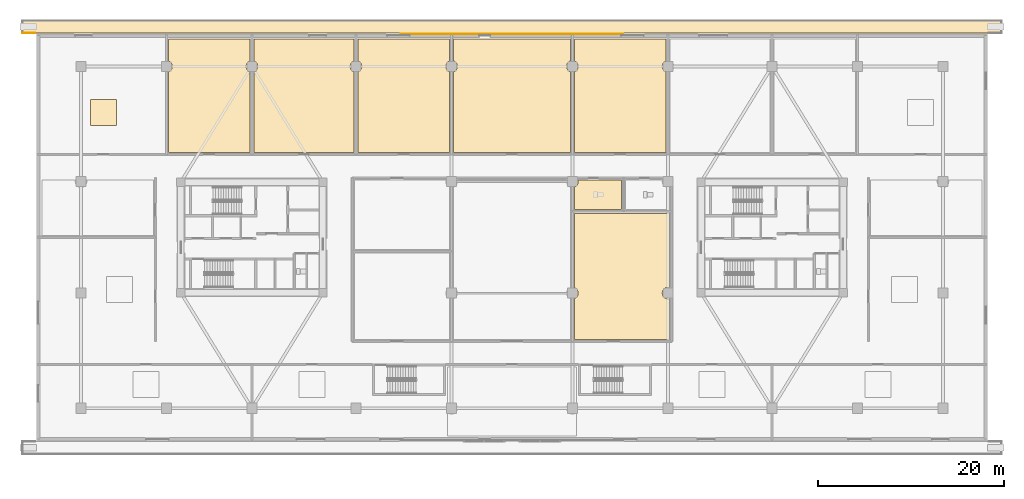
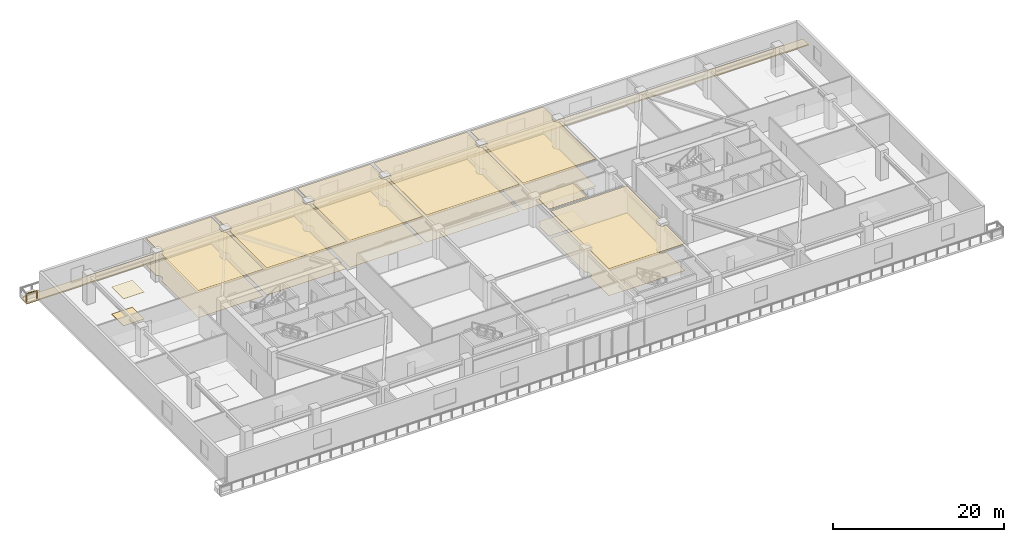
# One storey, part 18 of 23: 18 coverings, 1 railing.
"""IFC4 building model written with IfcOpenShell, lengths in metres."""

from ifc_helpers import new_model, si_unit, direction, frame, origin, origin_2d, place, context, subcontext, project, spatial, polyline, rectangle, outline, extrude, source, transform, mapped, material, layer, layer_set, type_object, type_shapes, element, save


model = new_model("IFC4")

# Units and contexts
model_context = context("Model", 3, precision=1e-05, world=origin(), true_north=direction((0.0, 1.0)))
body_context = subcontext(model_context, "Body", "Model", "MODEL_VIEW")
ifc_project = project(units=[si_unit("LENGTHUNIT", "METRE"), si_unit("AREAUNIT", "SQUARE_METRE"), si_unit("VOLUMEUNIT", "CUBIC_METRE"), si_unit("PLANEANGLEUNIT", "RADIAN"), si_unit("MASSUNIT", "GRAM", prefix="KILO")], contexts=[model_context])

# Site, building, storey
site_placement = place(None, origin())
site = spatial("IfcSite", under=ifc_project, at=site_placement, CompositionType="ELEMENT")
building_placement = place(site_placement, origin())
building = spatial("IfcBuilding", under=site, at=building_placement, Name="Norrkilde Senior Care Towers", CompositionType="ELEMENT")
storey_placement = place(building_placement, frame((0.0, 0.0, 8.39990234375)))
storey = spatial("IfcBuildingStorey", under=building, at=storey_placement, Name="L02", CompositionType="ELEMENT", Elevation=8.39990234375)

# Coverings
ifc_material_1 = material(Name="Nordic Ash Timber", Category="wood")
ifc_layer_1 = layer(ifc_material_1, 0.044921875)
ifc_layer_set_1 = layer_set([ifc_layer_1], Name="Nordic Ash Timber")
covering_type_1 = type_object("IfcCoveringType", Name="Acoustic Ash Timber Slatted Ceiling 45", PredefinedType="CEILING", material=ifc_layer_set_1)
covering_1_placement = place(storey_placement, frame((0.0, 0.0, 3.835205078125)))
element("IfcCovering", 1, at=covering_1_placement, inside=storey, type_object=covering_type_1, Name="L02 Suspended Ceiling 0055", PredefinedType="CEILING", context=body_context, shape_type="SweptSolid", body=[
    extrude(outline(polyline([(6.719970703125, -10.97998046875), (6.719970703125, -6.5849609375), (6.81494140625, -6.545654296875), (6.945556640625, -6.445556640625), (7.045654296875, -6.31494140625), (7.108642578125, -6.1630859375), (7.1298828125, -6.0), (7.108642578125, -5.8369140625), (7.045654296875, -5.68505859375), (6.945556640625, -5.554443359375), (6.81494140625, -5.454345703125), (6.719970703125, -5.4150390625), (6.719970703125, 2.580078125), (16.97998046875, 2.580078125), (16.97998046875, -5.3984375), (16.963134765625, -5.391357421875), (16.800048828125, -5.3701171875), (16.636962890625, -5.391357421875), (16.485107421875, -5.454345703125), (16.3544921875, -5.554443359375), (16.25439453125, -5.68505859375), (16.19140625, -5.8369140625), (16.169921875, -6.0), (16.19140625, -6.1630859375), (16.25439453125, -6.31494140625), (16.3544921875, -6.445556640625), (16.485107421875, -6.545654296875), (16.636962890625, -6.608642578125), (16.800048828125, -6.6298828125), (16.963134765625, -6.608642578125), (16.97998046875, -6.6015625), (16.97998046875, -10.97998046875), (6.719970703125, -10.97998046875)])), origin(), (0.0, 0.0, 1.0), 0.044921875),
])
covering_2_placement = place(storey_placement, frame((0.0, 0.0, 3.835205078125)))
element("IfcCovering", 2, at=covering_2_placement, inside=storey, type_object=covering_type_1, Name="L02 Suspended Ceiling 0056", PredefinedType="CEILING", context=body_context, shape_type="SweptSolid", body=[
    extrude(outline(polyline([(-45.39990234375, 12.044921875), (-45.39990234375, 14.844970703125), (-42.60009765625, 14.844970703125), (-42.60009765625, 12.044921875), (-45.39990234375, 12.044921875)])), origin(), (0.0, 0.0, 1.0), 0.044921875),
])
covering_3_placement = place(storey_placement, frame((0.0, 0.0, 3.835205078125)))
element("IfcCovering", 3, at=covering_3_placement, inside=storey, type_object=covering_type_1, Name="L02 Suspended Ceiling 0058", PredefinedType="CEILING", context=body_context, shape_type="SweptSolid", body=[
    extrude(outline(polyline([(-27.780029296875, 9.1201171875), (-27.780029296875, 17.81494140625), (-27.68505859375, 17.8544921875), (-27.554443359375, 17.95458984375), (-27.454345703125, 18.0849609375), (-27.391357421875, 18.237060546875), (-27.3701171875, 18.39990234375), (-27.391357421875, 18.56298828125), (-27.454345703125, 18.715087890625), (-27.554443359375, 18.845458984375), (-27.68505859375, 18.945556640625), (-27.780029296875, 18.98486328125), (-27.780029296875, 21.3798828125), (-17.02001953125, 21.3798828125), (-17.02001953125, 18.98486328125), (-17.114990234375, 18.945556640625), (-17.245361328125, 18.845458984375), (-17.345703125, 18.715087890625), (-17.408447265625, 18.56298828125), (-17.429931640625, 18.39990234375), (-17.408447265625, 18.237060546875), (-17.345703125, 18.0849609375), (-17.245361328125, 17.95458984375), (-17.114990234375, 17.8544921875), (-17.02001953125, 17.81494140625), (-17.02001953125, 9.1201171875), (-27.780029296875, 9.1201171875)])), origin(), (0.0, 0.0, 1.0), 0.044921875),
])
covering_4_placement = place(storey_placement, frame((0.0, 0.0, 3.835205078125)))
element("IfcCovering", 4, at=covering_4_placement, inside=storey, type_object=covering_type_1, Name="L02 Suspended Ceiling 0059", PredefinedType="CEILING", context=body_context, shape_type="SweptSolid", body=[
    extrude(outline(polyline([(-16.580078125, 9.1201171875), (-16.580078125, 17.81494140625), (-16.485107421875, 17.8544921875), (-16.3544921875, 17.95458984375), (-16.25439453125, 18.0849609375), (-16.19140625, 18.237060546875), (-16.169921875, 18.39990234375), (-16.19140625, 18.56298828125), (-16.25439453125, 18.715087890625), (-16.3544921875, 18.845458984375), (-16.485107421875, 18.945556640625), (-16.580078125, 18.98486328125), (-16.580078125, 21.3798828125), (-6.719970703125, 21.3798828125), (-6.719970703125, 18.98486328125), (-6.81494140625, 18.945556640625), (-6.945556640625, 18.845458984375), (-7.045654296875, 18.715087890625), (-7.108642578125, 18.56298828125), (-7.1298828125, 18.39990234375), (-7.108642578125, 18.237060546875), (-7.045654296875, 18.0849609375), (-6.945556640625, 17.95458984375), (-6.81494140625, 17.8544921875), (-6.719970703125, 17.81494140625), (-6.719970703125, 9.1201171875), (-16.580078125, 9.1201171875)])), origin(), (0.0, 0.0, 1.0), 0.044921875),
])
covering_5_placement = place(storey_placement, frame((0.0, 0.0, 3.835205078125)))
element("IfcCovering", 5, at=covering_5_placement, inside=storey, type_object=covering_type_1, Name="L02 Suspended Ceiling 0061", PredefinedType="CEILING", context=body_context, shape_type="SweptSolid", body=[
    extrude(outline(polyline([(6.719970703125, 9.1201171875), (6.719970703125, 17.81494140625), (6.81494140625, 17.8544921875), (6.945556640625, 17.95458984375), (7.045654296875, 18.0849609375), (7.108642578125, 18.237060546875), (7.1298828125, 18.39990234375), (7.108642578125, 18.56298828125), (7.045654296875, 18.715087890625), (6.945556640625, 18.845458984375), (6.81494140625, 18.945556640625), (6.719970703125, 18.98486328125), (6.719970703125, 21.3798828125), (16.580078125, 21.3798828125), (16.580078125, 18.98486328125), (16.485107421875, 18.945556640625), (16.3544921875, 18.845458984375), (16.25439453125, 18.715087890625), (16.19140625, 18.56298828125), (16.169921875, 18.39990234375), (16.19140625, 18.237060546875), (16.25439453125, 18.0849609375), (16.3544921875, 17.95458984375), (16.485107421875, 17.8544921875), (16.580078125, 17.81494140625), (16.580078125, 9.1201171875), (6.719970703125, 9.1201171875)])), origin(), (0.0, 0.0, 1.0), 0.044921875),
])

# Railing
ifc_material_2 = material(Name="Anodised Aluminium", Category="aluminium")
railing_type = type_object("IfcRailingType", Name="Balcony Swirl Ribbon Guardrail 1150", PredefinedType="GUARDRAIL", material=ifc_material_2)
railing_placement = place(storey_placement, frame((-51.358642578125, 21.985107421875, 0.0)))
element("IfcRailing", 6, at=railing_placement, inside=storey, type_object=railing_type, Name="L02 Perimeter Safety Guard 04", PredefinedType="GUARDRAIL", context=body_context, shape_type="SweptSolid", body=[
    extrude(rectangle(XDim=0.048095703125, YDim=0.048095703125, at=origin_2d()), frame((0.0, 0.0, 1.1259765625), z_axis=(-1.0, 0.0, 0.0), x_axis=(0.0, -1.0, 0.0)), (0.0, 0.0, 1.0), 1.361328125),
    extrude(rectangle(XDim=0.0419921875, YDim=0.0419921875, at=origin_2d()), origin(), (0.0, 0.0, 1.0), 1.099853515625),
    extrude(rectangle(XDim=0.0419921875, YDim=0.0419921875, at=origin_2d()), frame((-1.361328125, 0.0, 0.0)), (0.0, 0.0, 1.0), 1.099853515625),
])

# Coverings
ifc_material_3 = material(Name="EPDM Waterproofing and PIR Insulation")
ifc_layer_2 = layer(ifc_material_3, 0.159912109375)
ifc_layer_set_2 = layer_set([ifc_layer_2], Name="EPDM Waterproofing and PIR Insulation")
covering_type_2 = type_object("IfcCoveringType", Name="Insulated EPDM Roof Membrane 160", PredefinedType="ROOFING", material=ifc_layer_set_2)
covering_6_placement = place(storey_placement, frame((0.0, 0.0, -0.389892578125)))
element("IfcCovering", 7, at=covering_6_placement, inside=storey, type_object=covering_type_2, Name="L02 N Terrace Waterproof Membrane", PredefinedType="ROOFING", context=body_context, shape_type="SweptSolid", body=[
    extrude(outline(polyline([(-52.699951171875, 22.0048828125), (52.699951171875, 22.0048828125), (52.699951171875, 23.300048828125), (-52.699951171875, 23.300048828125), (-52.699951171875, 22.0048828125)])), origin(), (0.0, 0.0, 1.0), 0.159912109375),
])
ifc_material_4 = material(Name="Gypsum Acoustic Board")
ifc_layer_3 = layer(ifc_material_4, 0.030029296875)
ifc_layer_set_3 = layer_set([ifc_layer_3], Name="Gypsum Acoustic Board")
covering_type_3 = type_object("IfcCoveringType", Name="Medical Cleanable Gypsum Ceiling 30", PredefinedType="CEILING", material=ifc_layer_set_3)
covering_7_placement = place(storey_placement, frame((0.0, 0.0, 3.85009765625)))
element("IfcCovering", 8, at=covering_7_placement, inside=storey, type_object=covering_type_3, Name="L02 Suspended Ceiling 0053", PredefinedType="CEILING", context=body_context, shape_type="SweptSolid", body=[
    extrude(outline(polyline([(11.780029296875, 3.02001953125), (6.719970703125, 3.02001953125), (6.719970703125, 5.4150390625), (6.81494140625, 5.454345703125), (6.945556640625, 5.554443359375), (7.045654296875, 5.68505859375), (7.108642578125, 5.8369140625), (7.1298828125, 6.0), (7.108642578125, 6.1630859375), (7.1015625, 6.179931640625), (11.780029296875, 6.179931640625), (11.780029296875, 3.02001953125)])), origin(), (0.0, 0.0, 1.0), 0.030029296875),
])
covering_8_placement = place(storey_placement, frame((0.0, 0.0, 3.85009765625)))
element("IfcCovering", 9, at=covering_8_placement, inside=storey, type_object=covering_type_3, Name="L02 Suspended Ceiling 0057", PredefinedType="CEILING", context=body_context, shape_type="SweptSolid", body=[
    extrude(outline(polyline([(-36.97998046875, 9.1201171875), (-36.97998046875, 17.81494140625), (-36.885009765625, 17.8544921875), (-36.754638671875, 17.95458984375), (-36.654296875, 18.0849609375), (-36.591552734375, 18.237060546875), (-36.570068359375, 18.39990234375), (-36.591552734375, 18.56298828125), (-36.654296875, 18.715087890625), (-36.754638671875, 18.845458984375), (-36.885009765625, 18.945556640625), (-36.97998046875, 18.98486328125), (-36.97998046875, 21.3798828125), (-28.219970703125, 21.3798828125), (-28.219970703125, 18.98486328125), (-28.31494140625, 18.945556640625), (-28.445556640625, 18.845458984375), (-28.545654296875, 18.715087890625), (-28.608642578125, 18.56298828125), (-28.6298828125, 18.39990234375), (-28.608642578125, 18.237060546875), (-28.545654296875, 18.0849609375), (-28.445556640625, 17.95458984375), (-28.31494140625, 17.8544921875), (-28.219970703125, 17.81494140625), (-28.219970703125, 9.1201171875), (-36.97998046875, 9.1201171875)])), origin(), (0.0, 0.0, 1.0), 0.030029296875),
])
covering_9_placement = place(storey_placement, frame((0.0, 0.0, 3.85009765625)))
element("IfcCovering", 10, at=covering_9_placement, inside=storey, type_object=covering_type_3, Name="L02 Suspended Ceiling 0060", PredefinedType="CEILING", context=body_context, shape_type="SweptSolid", body=[
    extrude(outline(polyline([(-6.280029296875, 9.1201171875), (-6.280029296875, 17.81494140625), (-6.18505859375, 17.8544921875), (-6.054443359375, 17.95458984375), (-5.954345703125, 18.0849609375), (-5.891357421875, 18.237060546875), (-5.8701171875, 18.39990234375), (-5.891357421875, 18.56298828125), (-5.954345703125, 18.715087890625), (-6.054443359375, 18.845458984375), (-6.18505859375, 18.945556640625), (-6.280029296875, 18.98486328125), (-6.280029296875, 21.3798828125), (6.280029296875, 21.3798828125), (6.280029296875, 18.98486328125), (6.18505859375, 18.945556640625), (6.054443359375, 18.845458984375), (5.954345703125, 18.715087890625), (5.891357421875, 18.56298828125), (5.8701171875, 18.39990234375), (5.891357421875, 18.237060546875), (5.954345703125, 18.0849609375), (6.054443359375, 17.95458984375), (6.18505859375, 17.8544921875), (6.280029296875, 17.81494140625), (6.280029296875, 9.1201171875), (-6.280029296875, 9.1201171875)])), origin(), (0.0, 0.0, 1.0), 0.030029296875),
])
ifc_material_5 = material(Name="Slip-Resistant Porcelain Stone", Category="masonry")
ifc_layer_4 = layer(ifc_material_5, 0.02490234375)
ifc_layer_set_4 = layer_set([ifc_layer_4], Name="Slip-Resistant Porcelain Stone")
covering_type_4 = type_object("IfcCoveringType", Name="Slip-Resistant Porcelain Flooring 25", PredefinedType="FLOORING", material=ifc_layer_set_4)
covering_10_placement = place(storey_placement, origin())
element("IfcCovering", 11, at=covering_10_placement, inside=storey, type_object=covering_type_4, Name="L02 Floor Finish 0053", PredefinedType="FLOORING", context=body_context, shape_type="SweptSolid", body=[
    extrude(outline(polyline([(11.780029296875, 3.02001953125), (6.719970703125, 3.02001953125), (6.719970703125, 5.4150390625), (6.81494140625, 5.454345703125), (6.945556640625, 5.554443359375), (7.045654296875, 5.68505859375), (7.108642578125, 5.8369140625), (7.1298828125, 6.0), (7.108642578125, 6.1630859375), (7.1015625, 6.179931640625), (11.780029296875, 6.179931640625), (11.780029296875, 3.02001953125)])), origin(), (0.0, 0.0, 1.0), 0.025146484375),
])
covering_11_placement = place(storey_placement, origin())
element("IfcCovering", 12, at=covering_11_placement, inside=storey, type_object=covering_type_4, Name="L02 Floor Finish 0055", PredefinedType="FLOORING", context=body_context, shape_type="SweptSolid", body=[
    extrude(outline(polyline([(6.719970703125, -10.97998046875), (6.719970703125, -6.5849609375), (6.81494140625, -6.545654296875), (6.945556640625, -6.445556640625), (7.045654296875, -6.31494140625), (7.108642578125, -6.1630859375), (7.1298828125, -6.0), (7.108642578125, -5.8369140625), (7.045654296875, -5.68505859375), (6.945556640625, -5.554443359375), (6.81494140625, -5.454345703125), (6.719970703125, -5.4150390625), (6.719970703125, 2.580078125), (16.97998046875, 2.580078125), (16.97998046875, -5.3984375), (16.963134765625, -5.391357421875), (16.800048828125, -5.3701171875), (16.636962890625, -5.391357421875), (16.485107421875, -5.454345703125), (16.3544921875, -5.554443359375), (16.25439453125, -5.68505859375), (16.19140625, -5.8369140625), (16.169921875, -6.0), (16.19140625, -6.1630859375), (16.25439453125, -6.31494140625), (16.3544921875, -6.445556640625), (16.485107421875, -6.545654296875), (16.636962890625, -6.608642578125), (16.800048828125, -6.6298828125), (16.963134765625, -6.608642578125), (16.97998046875, -6.6015625), (16.97998046875, -10.97998046875), (6.719970703125, -10.97998046875)])), origin(), (0.0, 0.0, 1.0), 0.025146484375),
])
covering_12_placement = place(storey_placement, origin())
element("IfcCovering", 13, at=covering_12_placement, inside=storey, type_object=covering_type_4, Name="L02 Floor Finish 0056", PredefinedType="FLOORING", context=body_context, shape_type="SweptSolid", body=[
    extrude(outline(polyline([(-45.39990234375, 12.044921875), (-45.39990234375, 14.844970703125), (-42.60009765625, 14.844970703125), (-42.60009765625, 12.044921875), (-45.39990234375, 12.044921875)])), origin(), (0.0, 0.0, 1.0), 0.025146484375),
])
covering_13_placement = place(storey_placement, origin())
element("IfcCovering", 14, at=covering_13_placement, inside=storey, type_object=covering_type_4, Name="L02 Floor Finish 0057", PredefinedType="FLOORING", context=body_context, shape_type="SweptSolid", body=[
    extrude(outline(polyline([(-36.97998046875, 9.1201171875), (-36.97998046875, 17.81494140625), (-36.885009765625, 17.8544921875), (-36.754638671875, 17.95458984375), (-36.654296875, 18.0849609375), (-36.591552734375, 18.237060546875), (-36.570068359375, 18.39990234375), (-36.591552734375, 18.56298828125), (-36.654296875, 18.715087890625), (-36.754638671875, 18.845458984375), (-36.885009765625, 18.945556640625), (-36.97998046875, 18.98486328125), (-36.97998046875, 21.3798828125), (-28.219970703125, 21.3798828125), (-28.219970703125, 18.98486328125), (-28.31494140625, 18.945556640625), (-28.445556640625, 18.845458984375), (-28.545654296875, 18.715087890625), (-28.608642578125, 18.56298828125), (-28.6298828125, 18.39990234375), (-28.608642578125, 18.237060546875), (-28.545654296875, 18.0849609375), (-28.445556640625, 17.95458984375), (-28.31494140625, 17.8544921875), (-28.219970703125, 17.81494140625), (-28.219970703125, 9.1201171875), (-36.97998046875, 9.1201171875)])), origin(), (0.0, 0.0, 1.0), 0.025146484375),
])
covering_14_placement = place(storey_placement, origin())
element("IfcCovering", 15, at=covering_14_placement, inside=storey, type_object=covering_type_4, Name="L02 Floor Finish 0058", PredefinedType="FLOORING", context=body_context, shape_type="SweptSolid", body=[
    extrude(outline(polyline([(-27.780029296875, 9.1201171875), (-27.780029296875, 17.81494140625), (-27.68505859375, 17.8544921875), (-27.554443359375, 17.95458984375), (-27.454345703125, 18.0849609375), (-27.391357421875, 18.237060546875), (-27.3701171875, 18.39990234375), (-27.391357421875, 18.56298828125), (-27.454345703125, 18.715087890625), (-27.554443359375, 18.845458984375), (-27.68505859375, 18.945556640625), (-27.780029296875, 18.98486328125), (-27.780029296875, 21.3798828125), (-17.02001953125, 21.3798828125), (-17.02001953125, 18.98486328125), (-17.114990234375, 18.945556640625), (-17.245361328125, 18.845458984375), (-17.345703125, 18.715087890625), (-17.408447265625, 18.56298828125), (-17.429931640625, 18.39990234375), (-17.408447265625, 18.237060546875), (-17.345703125, 18.0849609375), (-17.245361328125, 17.95458984375), (-17.114990234375, 17.8544921875), (-17.02001953125, 17.81494140625), (-17.02001953125, 9.1201171875), (-27.780029296875, 9.1201171875)])), origin(), (0.0, 0.0, 1.0), 0.025146484375),
])
covering_15_placement = place(storey_placement, origin())
element("IfcCovering", 16, at=covering_15_placement, inside=storey, type_object=covering_type_4, Name="L02 Floor Finish 0059", PredefinedType="FLOORING", context=body_context, shape_type="SweptSolid", body=[
    extrude(outline(polyline([(-16.580078125, 9.1201171875), (-16.580078125, 17.81494140625), (-16.485107421875, 17.8544921875), (-16.3544921875, 17.95458984375), (-16.25439453125, 18.0849609375), (-16.19140625, 18.237060546875), (-16.169921875, 18.39990234375), (-16.19140625, 18.56298828125), (-16.25439453125, 18.715087890625), (-16.3544921875, 18.845458984375), (-16.485107421875, 18.945556640625), (-16.580078125, 18.98486328125), (-16.580078125, 21.3798828125), (-6.719970703125, 21.3798828125), (-6.719970703125, 18.98486328125), (-6.81494140625, 18.945556640625), (-6.945556640625, 18.845458984375), (-7.045654296875, 18.715087890625), (-7.108642578125, 18.56298828125), (-7.1298828125, 18.39990234375), (-7.108642578125, 18.237060546875), (-7.045654296875, 18.0849609375), (-6.945556640625, 17.95458984375), (-6.81494140625, 17.8544921875), (-6.719970703125, 17.81494140625), (-6.719970703125, 9.1201171875), (-16.580078125, 9.1201171875)])), origin(), (0.0, 0.0, 1.0), 0.025146484375),
])
covering_16_placement = place(storey_placement, origin())
element("IfcCovering", 17, at=covering_16_placement, inside=storey, type_object=covering_type_4, Name="L02 Floor Finish 0060", PredefinedType="FLOORING", context=body_context, shape_type="SweptSolid", body=[
    extrude(outline(polyline([(-6.280029296875, 9.1201171875), (-6.280029296875, 17.81494140625), (-6.18505859375, 17.8544921875), (-6.054443359375, 17.95458984375), (-5.954345703125, 18.0849609375), (-5.891357421875, 18.237060546875), (-5.8701171875, 18.39990234375), (-5.891357421875, 18.56298828125), (-5.954345703125, 18.715087890625), (-6.054443359375, 18.845458984375), (-6.18505859375, 18.945556640625), (-6.280029296875, 18.98486328125), (-6.280029296875, 21.3798828125), (6.280029296875, 21.3798828125), (6.280029296875, 18.98486328125), (6.18505859375, 18.945556640625), (6.054443359375, 18.845458984375), (5.954345703125, 18.715087890625), (5.891357421875, 18.56298828125), (5.8701171875, 18.39990234375), (5.891357421875, 18.237060546875), (5.954345703125, 18.0849609375), (6.054443359375, 17.95458984375), (6.18505859375, 17.8544921875), (6.280029296875, 17.81494140625), (6.280029296875, 9.1201171875), (-6.280029296875, 9.1201171875)])), origin(), (0.0, 0.0, 1.0), 0.025146484375),
])
covering_17_placement = place(storey_placement, origin())
element("IfcCovering", 18, at=covering_17_placement, inside=storey, type_object=covering_type_4, Name="L02 Floor Finish 0061", PredefinedType="FLOORING", context=body_context, shape_type="SweptSolid", body=[
    extrude(outline(polyline([(6.719970703125, 9.1201171875), (6.719970703125, 17.81494140625), (6.81494140625, 17.8544921875), (6.945556640625, 17.95458984375), (7.045654296875, 18.0849609375), (7.108642578125, 18.237060546875), (7.1298828125, 18.39990234375), (7.108642578125, 18.56298828125), (7.045654296875, 18.715087890625), (6.945556640625, 18.845458984375), (6.81494140625, 18.945556640625), (6.719970703125, 18.98486328125), (6.719970703125, 21.3798828125), (16.580078125, 21.3798828125), (16.580078125, 18.98486328125), (16.485107421875, 18.945556640625), (16.3544921875, 18.845458984375), (16.25439453125, 18.715087890625), (16.19140625, 18.56298828125), (16.169921875, 18.39990234375), (16.19140625, 18.237060546875), (16.25439453125, 18.0849609375), (16.3544921875, 17.95458984375), (16.485107421875, 17.8544921875), (16.580078125, 17.81494140625), (16.580078125, 9.1201171875), (6.719970703125, 9.1201171875)])), origin(), (0.0, 0.0, 1.0), 0.025146484375),
])
ifc_material_6 = material(Name="Architectural Terracotta", Category="masonry")
ifc_layer_5 = layer(ifc_material_6, 0.0400390625)
ifc_layer_set_5 = layer_set([ifc_layer_5], Name="Architectural Terracotta")
covering_type_5 = type_object("IfcCoveringType", Name="Glazed Terracotta Spandrel Cladding 40", PredefinedType="CLADDING", material=ifc_layer_set_5)
shared_shape = source(origin(), body_context, "Body", "SweptSolid", [
    extrude(rectangle(XDim=24.0, YDim=0.0400390625, at=origin_2d()), origin(), (0.0, 0.0, 1.0), 0.320068359375),
])
type_shapes(covering_type_5, [shared_shape])
covering_18_placement = place(storey_placement, frame((0.0, 21.8798828125, -0.31982421875), z_axis=(0.0, 0.0, 1.0), x_axis=(1.0, 0.0, 0.0)))
element("IfcCovering", 19, at=covering_18_placement, inside=storey, type_object=covering_type_5, Name="L02 N Terracotta Spandrel Band", PredefinedType="CLADDING", context=body_context, shape_type="MappedRepresentation", body=[
    mapped(shared_shape, transform((0.0, 0.0, 0.0), x_axis=(1.0, 0.0, 0.0), y_axis=(0.0, 1.0, 0.0), z_axis=(0.0, 0.0, 1.0), scale=1.0)),
])

save(model, "model.ifc")
